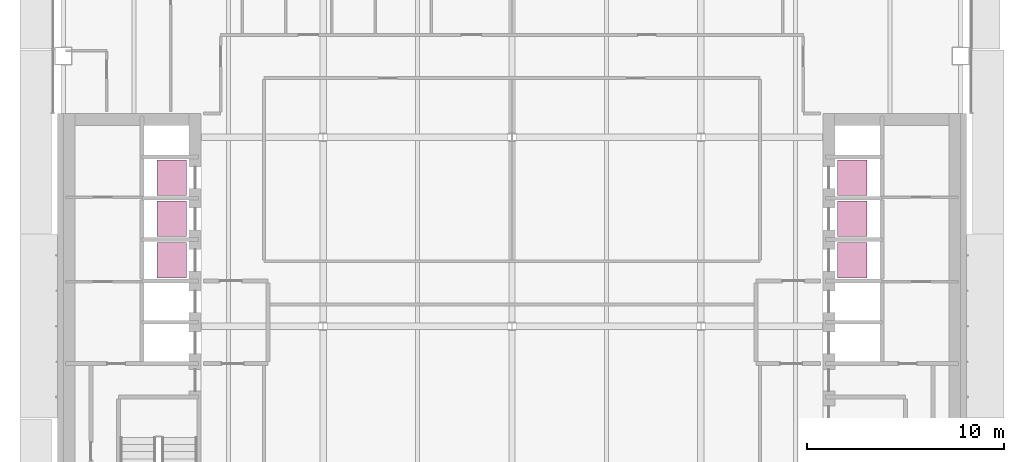
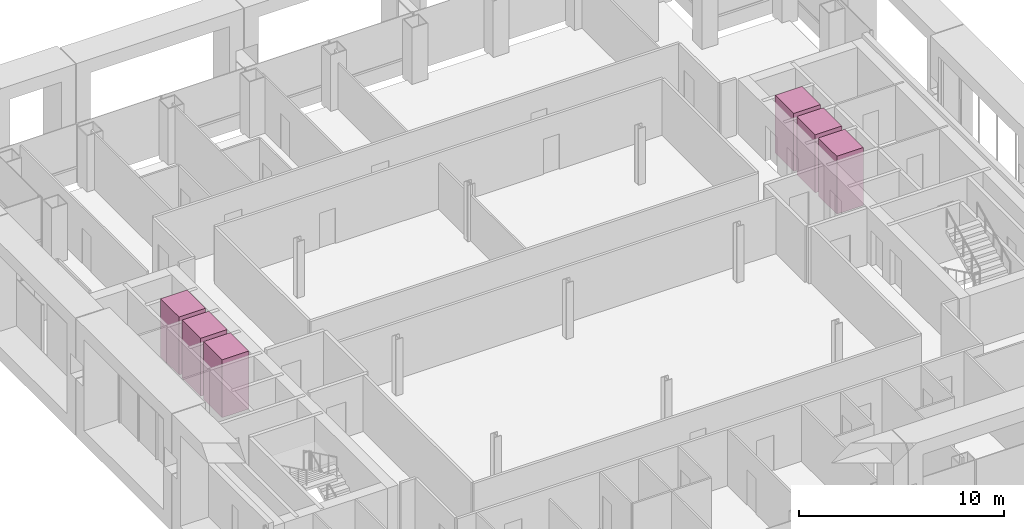
# One storey, part 19 of 19: 6 transport elements.
"""IFC4 building model written with IfcOpenShell, lengths in metres."""

import ifcopenshell
import ifcopenshell.guid

model = None  # the IFC model being written
_history = None  # IfcOwnerHistory: only IFC2X3 demands one
_inside = {}  # id of a spatial element -> (the spatial element, [elements in it])
_under = {}  # id of a project, library or spatial element -> (it, [spatial elements below it])
_declared = {}  # id of a project -> (the project, [libraries it declares])
_typed = {}  # id of a type object -> (the type object, [elements of that type])
_made_of = {}  # id of a material, layer set ... -> (it, [elements and type objects made of it])


def new_model(schema):
    """Start an empty IFC model of exactly this schema.

    Asked for "IFC4X3", IfcOpenShell would pick the latest addendum, in which some entities
    have other attributes; the version numbers below select the first issue.
    IFC2X3 requires an IfcOwnerHistory on every rooted entity: one is made here for all.
    """
    global model, _history
    if schema == "IFC4X3":
        model = ifcopenshell.file(schema_version=(4, 3, 0, 0))
    else:
        model = ifcopenshell.file(schema=schema)
    _inside.clear()
    _under.clear()
    _declared.clear()
    _typed.clear()
    _made_of.clear()
    _history = None
    if model.schema == "IFC2X3":
        org = make("IfcOrganization", Name="unknown")
        user = make(
            "IfcPersonAndOrganization",
            ThePerson=make("IfcPerson", FamilyName="unknown"),
            TheOrganization=org,
        )
        app = make(
            "IfcApplication",
            ApplicationDeveloper=org,
            Version="unknown",
            ApplicationFullName="unknown",
            ApplicationIdentifier="unknown",
        )
        _history = make(
            "IfcOwnerHistory",
            OwningUser=user,
            OwningApplication=app,
            ChangeAction="ADDED",
            CreationDate=0,
        )
    return model


def make(cls, **values):
    """One entity of the class cls with the attributes given. An attribute that is None is left unset."""
    return model.create_entity(
        cls, **{name: value for name, value in values.items() if value is not None}
    )


def rooted(cls, **values):
    """An entity with a GlobalId (a new one), such as an element, a storey or a relation."""
    return make(cls, GlobalId=ifcopenshell.guid.new(), OwnerHistory=_history, **values)


def si_unit(unit_type, name, prefix=None):
    """IfcSIUnit, for example si_unit("LENGTHUNIT", "METRE", prefix="MILLI")."""
    return make("IfcSIUnit", UnitType=unit_type, Prefix=prefix, Name=name)


def assignment(units):
    """IfcUnitAssignment: the units of a project."""
    return None if units is None else make("IfcUnitAssignment", Units=units)


def point(xyz):
    """IfcCartesianPoint."""
    return None if xyz is None else make("IfcCartesianPoint", Coordinates=xyz)


def direction(xyz):
    """IfcDirection."""
    return None if xyz is None else make("IfcDirection", DirectionRatios=xyz)


def frame(location, z_axis=None, x_axis=None):
    """IfcAxis2Placement3D, a coordinate frame: its origin and axes. An axis left out is left unset."""
    return make(
        "IfcAxis2Placement3D",
        Location=point(location),
        Axis=direction(z_axis),
        RefDirection=direction(x_axis),
    )


def frame_2d(location, x_axis=None):
    """IfcAxis2Placement2D, a coordinate frame in the plane: its origin and x axis."""
    return make(
        "IfcAxis2Placement2D", Location=point(location), RefDirection=direction(x_axis)
    )


def origin():
    """The frame at (0, 0, 0) with its axes left unset."""
    return frame((0.0, 0.0, 0.0))


def origin_2d():
    """The frame at (0, 0) in the plane with its x axis left unset."""
    return frame_2d((0.0, 0.0))


def place(relative_to, where):
    """IfcLocalPlacement: puts the frame where relative to a parent placement (None: the world)."""
    return make(
        "IfcLocalPlacement", PlacementRelTo=relative_to, RelativePlacement=where
    )


def context(
    kind, dimensions, precision=None, world=None, true_north=None, identifier=None
):
    """IfcGeometricRepresentationContext, for example the 3D "Model" context."""
    return make(
        "IfcGeometricRepresentationContext",
        ContextIdentifier=identifier,
        ContextType=kind,
        CoordinateSpaceDimension=dimensions,
        Precision=precision,
        WorldCoordinateSystem=world,
        TrueNorth=true_north,
    )


def subcontext(parent, identifier, kind, view, scale=None):
    """IfcGeometricRepresentationSubContext, for example "Body" below "Model"."""
    return make(
        "IfcGeometricRepresentationSubContext",
        ContextIdentifier=identifier,
        ContextType=kind,
        ParentContext=parent,
        TargetScale=scale,
        TargetView=view,
    )


def project(units=None, contexts=None):
    """IfcProject with its units and contexts."""
    return rooted(
        "IfcProject",
        Name="project",
        RepresentationContexts=contexts,
        UnitsInContext=assignment(units),
    )


def spatial(cls, under=None, at=None, **own):
    """A site, building, storey or space (cls), placed at a placement, below another one or the project."""
    s = rooted(cls, ObjectPlacement=at, **own)
    if under is not None:
        _under.setdefault(under.id(), (under, []))[1].append(s)
    return s


def profile(cls, at=None, kind="AREA", **sizes):
    """A parametric profile (cls). Its sizes go by their IFC names, for example OverallWidth=200.0."""
    return make(cls, ProfileType=kind, Position=at, **sizes)


def rectangle(**sizes):
    """IfcRectangleProfileDef."""
    return profile("IfcRectangleProfileDef", **sizes)


def extrude(swept, where, along, depth):
    """IfcExtrudedAreaSolid: the profile swept, set in the frame where, extruded along a direction by depth."""
    return make(
        "IfcExtrudedAreaSolid",
        SweptArea=swept,
        Position=where,
        ExtrudedDirection=direction(along),
        Depth=depth,
    )


def shape(context_of_items, identifier, shape_type, items):
    """IfcShapeRepresentation: the items that make up one representation, for example the "Body"."""
    return make(
        "IfcShapeRepresentation",
        ContextOfItems=context_of_items,
        RepresentationIdentifier=identifier,
        RepresentationType=shape_type,
        Items=items,
    )


def material(Name=None, Category=None):
    """IfcMaterial."""
    return make("IfcMaterial", Name=Name, Category=Category)


def made_of(thing, what):
    """Note that an element or type object is made of a material, layer set ...; save() writes the relation."""
    if what is not None:
        _made_of.setdefault(what.id(), (what, []))[1].append(thing)
    return thing


def type_object(cls, material=None, **own):
    """A type object (cls), such as IfcWallType, which elements share."""
    return made_of(rooted(cls, **own), material)


def element(
    cls,
    number,
    at=None,
    inside=None,
    cuts=None,
    type_object=None,
    material=None,
    context=None,
    identifier="Body",
    shape_type=None,
    held_by="IfcProductDefinitionShape",
    body=None,
    shapes=None,
    **own,
):
    """One element of the class cls, such as IfcWall. Its Tag is "e" and its number.

    at: its placement. inside: the storey or other place that contains it. cuts: it is an
    opening in that element (IfcRelVoidsElement). A single representation is given by context,
    identifier, shape_type and body (its items); several are given by shapes. held_by: the class
    of the entity that holds the representations. save() writes the other relations.
    """
    e = rooted(cls, Tag="e%d" % number, ObjectPlacement=at, **own)
    if body is not None:
        shapes = [shape(context, identifier, shape_type, body)]
    if shapes is not None:
        e.Representation = make(held_by, Representations=shapes)
    if inside is not None:
        _inside.setdefault(inside.id(), (inside, []))[1].append(e)
    if cuts is not None:
        rooted(
            "IfcRelVoidsElement", RelatingBuildingElement=cuts, RelatedOpeningElement=e
        )
    if type_object is not None:
        _typed.setdefault(type_object.id(), (type_object, []))[1].append(e)
    return made_of(e, material)


def aggregate(whole, parts):
    """IfcRelAggregates: a whole, such as a stair, and the parts it consists of."""
    return rooted("IfcRelAggregates", RelatingObject=whole, RelatedObjects=parts)


def save(model, path):
    """Write the relations noted so far, then the file.

    IfcRelAggregates (storeys below a building ...), IfcRelContainedInSpatialStructure (elements
    in a storey), IfcRelDefinesByType, IfcRelAssociatesMaterial and IfcRelDeclares: one each for
    every whole, place, type object, material and project.
    """
    for whole, parts in _under.values():
        aggregate(whole, parts)
    for where, things in _inside.values():
        rooted(
            "IfcRelContainedInSpatialStructure",
            RelatedElements=things,
            RelatingStructure=where,
        )
    for kind, things in _typed.values():
        rooted("IfcRelDefinesByType", RelatedObjects=things, RelatingType=kind)
    for what, things in _made_of.values():
        rooted("IfcRelAssociatesMaterial", RelatedObjects=things, RelatingMaterial=what)
    for by, libraries in _declared.values():
        rooted("IfcRelDeclares", RelatingContext=by, RelatedDefinitions=libraries)
    model.write(path)


model = new_model("IFC4")

# Units and contexts
model_context = context("Model", 3, precision=1e-05, world=origin(), true_north=direction((0.0, 1.0)))
body_context = subcontext(model_context, "Body", "Model", "MODEL_VIEW")
ifc_project = project(units=[si_unit("LENGTHUNIT", "METRE"), si_unit("AREAUNIT", "SQUARE_METRE"), si_unit("VOLUMEUNIT", "CUBIC_METRE"), si_unit("PLANEANGLEUNIT", "RADIAN"), si_unit("MASSUNIT", "GRAM", prefix="KILO")], contexts=[model_context])

# Site, building, storey
site_placement = place(None, origin())
site = spatial("IfcSite", under=ifc_project, at=site_placement, CompositionType="ELEMENT")
building_placement = place(site_placement, origin())
building = spatial("IfcBuilding", under=site, at=building_placement, Name="Cobrizo Arcos Hotel Tower", CompositionType="ELEMENT")
storey_placement = place(building_placement, frame((0.0, 0.0, 103.0)))
storey = spatial("IfcBuildingStorey", under=building, at=storey_placement, Name="L25", CompositionType="ELEMENT", Elevation=103.0)

# Transport elements
ifc_material = material(Name="Stainless steel car", Category="steel")
transport_element_type = type_object("IfcTransportElementType", Name="Lift car Low 1.8x1.5", PredefinedType="ELEVATOR", material=ifc_material)
for number, where, z_axis, x_axis, name in (
    (1, (-17.300048828125, 3.35009765625, 0.0), (0.0, 0.0, 1.0), (1.0, 0.0, 0.0), "Low-rise passenger lift W1"),
    (2, (-17.300048828125, 5.449951171875, 0.0), (0.0, 0.0, 1.0), (1.0, 0.0, 0.0), "Low-rise passenger lift W2"),
    (3, (-17.300048828125, 7.550048828125, 0.0), (0.0, 0.0, 1.0), (1.0, 0.0, 0.0), "Low-rise passenger lift W3"),
    (4, (17.300048828125, 3.35009765625, 0.0), (0.0, 0.0, 1.0), (1.0, 0.0, 0.0), "Low-rise passenger lift E1"),
    (5, (17.300048828125, 5.449951171875, 0.0), (0.0, 0.0, 1.0), (1.0, 0.0, 0.0), "Low-rise passenger lift E2"),
    (6, (17.300048828125, 7.550048828125, 0.0), (0.0, 0.0, 1.0), (1.0, 0.0, 0.0), "Low-rise passenger lift E3"),
):
    element("IfcTransportElement", number, at=place(storey_placement, frame(where, z_axis=z_axis, x_axis=x_axis)), inside=storey, type_object=transport_element_type, Name=name, PredefinedType="ELEVATOR", context=body_context, shape_type="SweptSolid", body=[
        extrude(rectangle(XDim=1.5, YDim=1.800048828125, at=origin_2d()), origin(), (0.0, 0.0, 1.0), 3.449951171875),
    ])

save(model, "model.ifc")
